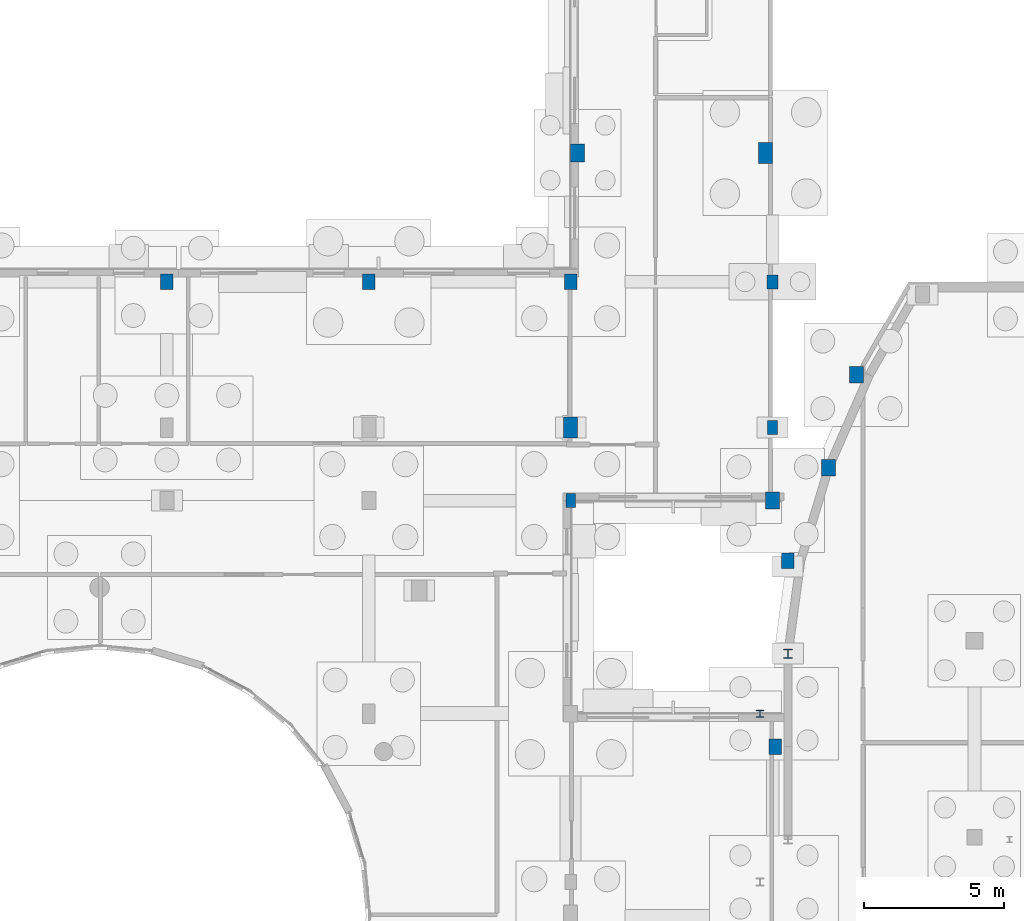
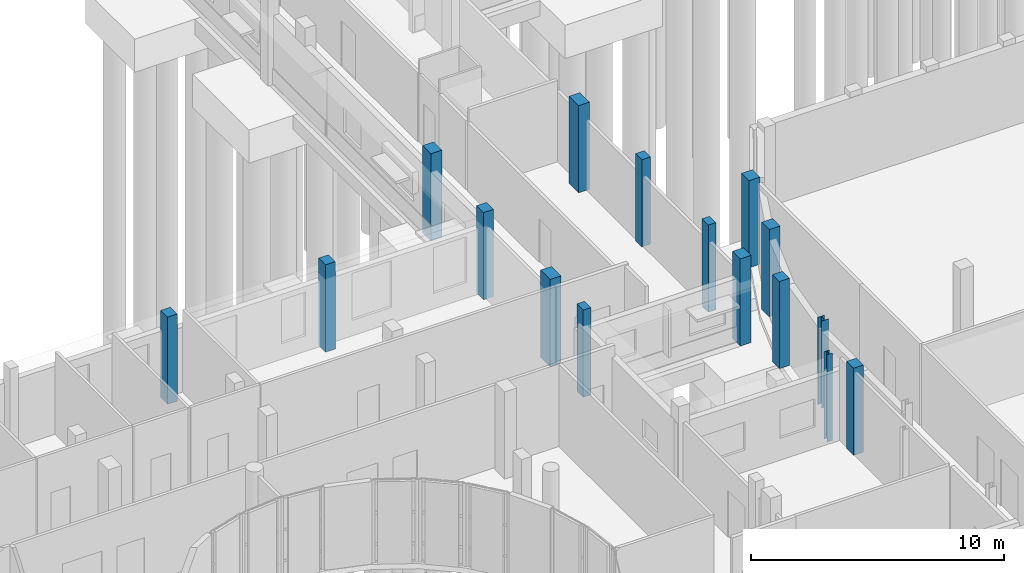
# One storey, part 21 of 93: 16 columns.
"""IFC4 building model written with IfcOpenShell, lengths in metres."""

from ifc_helpers import new_model, si_unit, direction, frame, origin, origin_2d, place, context, subcontext, project, spatial, rectangle, i_section, extrude, material, material_profile, profile_set, type_object, element, save


model = new_model("IFC4")

# Units and contexts
model_context = context("Model", 3, precision=1e-05, world=origin(), true_north=direction((0.0, 1.0)))
body_context = subcontext(model_context, "Body", "Model", "MODEL_VIEW")
ifc_project = project(units=[si_unit("LENGTHUNIT", "METRE"), si_unit("AREAUNIT", "SQUARE_METRE"), si_unit("VOLUMEUNIT", "CUBIC_METRE"), si_unit("PLANEANGLEUNIT", "RADIAN"), si_unit("MASSUNIT", "GRAM", prefix="KILO")], contexts=[model_context])

# Site, building, storey
site_placement = place(None, origin())
site = spatial("IfcSite", under=ifc_project, at=site_placement, CompositionType="ELEMENT")
building_placement = place(site_placement, origin())
building = spatial("IfcBuilding", under=site, at=building_placement, Name="Kelanivale Promenade Academy", CompositionType="ELEMENT")
storey_placement = place(building_placement, origin())
storey = spatial("IfcBuildingStorey", under=building, at=storey_placement, Name="L00", CompositionType="ELEMENT", Elevation=0.0)

# Columns
ifc_material_1 = material(Name="Concrete C40/50", Category="concrete")
ifc_material_profile_1 = material_profile(ifc_material_1, rectangle(XDim=0.5, YDim=0.64990234375, at=origin_2d()), Name="RC-COL 500x650")
ifc_profile_set_1 = profile_set([ifc_material_profile_1], Name="Concrete C40/50")
column_type_1 = type_object("IfcColumnType", Name="C-11 RC-COL 500x650", PredefinedType="COLUMN", material=ifc_profile_set_1)
column_1_placement = place(storey_placement, frame((115.85009765625, 84.0, 0.0), z_axis=(0.0, 0.0, 1.0), x_axis=(1.0, 0.0, 0.0)))
element("IfcColumn", 1, at=column_1_placement, inside=storey, type_object=column_type_1, Name="Column C-11 at (115.8, 84.0) L00", PredefinedType="COLUMN", context=body_context, shape_type="SweptSolid", body=[
    extrude(rectangle(XDim=0.5, YDim=0.64990234375, at=origin_2d()), origin(), (0.0, 0.0, 1.0), 4.199951171875),
])
ifc_material_profile_2 = material_profile(ifc_material_1, rectangle(XDim=0.5, YDim=0.75, at=origin_2d()), Name="RC-COL 500x750")
ifc_profile_set_2 = profile_set([ifc_material_profile_2], Name="Concrete C40/50")
column_type_2 = type_object("IfcColumnType", Name="C-12 RC-COL 500x750", PredefinedType="COLUMN", material=ifc_profile_set_2)
for number, where, z_axis, x_axis, name in (
    (2, (115.60009765625, 74.199951171875, 0.0), (0.0, 0.0, 1.0), (1.0, 0.0, 0.0), "Column C-12 at (115.6, 74.2) L00"),
    (3, (122.550048828125, 84.0, 0.0), (0.0, 0.0, 1.0), (1.0, 0.0, 0.0), "Column C-12 at (122.5, 84.0) L00"),
):
    element("IfcColumn", number, at=place(storey_placement, frame(where, z_axis=z_axis, x_axis=x_axis)), inside=storey, type_object=column_type_2, Name=name, PredefinedType="COLUMN", context=body_context, shape_type="SweptSolid", body=[
        extrude(rectangle(XDim=0.5, YDim=0.75, at=origin_2d()), origin(), (0.0, 0.0, 1.0), 4.199951171875),
    ])
ifc_material_profile_3 = material_profile(ifc_material_1, rectangle(XDim=0.35009765625, YDim=0.5, at=origin_2d()), Name="RC-PIL 350x500")
ifc_profile_set_3 = profile_set([ifc_material_profile_3], Name="Concrete C40/50")
column_type_3 = type_object("IfcColumnType", Name="PL-15 RC-PIL 350x500", PredefinedType="PILASTER", material=ifc_profile_set_3)
for number, where, z_axis, x_axis, name in (
    (4, (115.60009765625, 71.60009765625, 0.0), (0.0, 0.0, 1.0), (1.0, 0.0, 0.0), "Column PL-15 at (115.6, 71.6) L00"),
    (5, (122.800048828125, 74.199951171875, 0.0), (0.0, 0.0, 1.0), (1.0, 0.0, 0.0), "Column PL-15 at (122.8, 74.2) L00"),
):
    element("IfcColumn", number, at=place(storey_placement, frame(where, z_axis=z_axis, x_axis=x_axis)), inside=storey, type_object=column_type_3, Name=name, PredefinedType="PILASTER", context=body_context, shape_type="SweptSolid", body=[
        extrude(rectangle(XDim=0.35009765625, YDim=0.5, at=origin_2d()), origin(), (0.0, 0.0, 1.0), 4.199951171875),
    ])
ifc_material_profile_4 = material_profile(ifc_material_1, rectangle(XDim=0.39990234375, YDim=0.5, at=origin_2d()), Name="RC-PIL 400x500")
ifc_profile_set_4 = profile_set([ifc_material_profile_4], Name="Concrete C40/50")
column_type_4 = type_object("IfcColumnType", Name="PL-16 RC-PIL 400x500", PredefinedType="PILASTER", material=ifc_profile_set_4)
column_2_placement = place(storey_placement, frame((122.800048828125, 79.39990234375, 0.0), z_axis=(0.0, 0.0, 1.0), x_axis=(1.0, 0.0, 0.0)))
element("IfcColumn", 6, at=column_2_placement, inside=storey, type_object=column_type_4, Name="Column PL-16 at (122.8, 79.4) L00", PredefinedType="PILASTER", context=body_context, shape_type="SweptSolid", body=[
    extrude(rectangle(XDim=0.39990234375, YDim=0.5, at=origin_2d()), origin(), (0.0, 0.0, 1.0), 4.199951171875),
])
ifc_material_profile_5 = material_profile(ifc_material_1, rectangle(XDim=0.449951171875, YDim=0.550048828125, at=origin_2d()), Name="RC-PIL 450x550")
ifc_profile_set_5 = profile_set([ifc_material_profile_5], Name="Concrete C40/50")
column_type_5 = type_object("IfcColumnType", Name="PL-17 RC-PIL 450x550", PredefinedType="PILASTER", material=ifc_profile_set_5)
for number, where, z_axis, x_axis, name in (
    (7, (101.199951171875, 79.39990234375, 0.0), (0.0, 0.0, 1.0), (1.0, 0.0, 0.0), "Column PL-17 at (101.2, 79.4) L00"),
    (8, (108.39990234375, 79.39990234375, 0.0), (0.0, 0.0, 1.0), (1.0, 0.0, 0.0), "Column PL-17 at (108.4, 79.4) L00"),
    (9, (115.60009765625, 79.39990234375, 0.0), (0.0, 0.0, 1.0), (1.0, 0.0, 0.0), "Column PL-17 at (115.6, 79.4) L00"),
    (10, (122.889892578125, 62.8291015625, 0.0), (0.0, 0.0, 1.0), (1.0, 0.0, 0.0), "Column PL-17 at (122.9, 62.8) L00"),
    (11, (123.340087890625, 69.45703125, 0.0), (0.0, 0.0, 1.0), (1.0, 0.0, 0.0), "Column PL-17 at (123.3, 69.5) L00"),
):
    element("IfcColumn", number, at=place(storey_placement, frame(where, z_axis=z_axis, x_axis=x_axis)), inside=storey, type_object=column_type_5, Name=name, PredefinedType="PILASTER", context=body_context, shape_type="SweptSolid", body=[
        extrude(rectangle(XDim=0.449951171875, YDim=0.550048828125, at=origin_2d()), origin(), (0.0, 0.0, 1.0), 4.199951171875),
    ])
ifc_material_profile_6 = material_profile(ifc_material_1, rectangle(XDim=0.5, YDim=0.60009765625, at=origin_2d()), Name="RC-PIL 500x600")
ifc_profile_set_6 = profile_set([ifc_material_profile_6], Name="Concrete C40/50")
column_type_6 = type_object("IfcColumnType", Name="PL-18 RC-PIL 500x600", PredefinedType="PILASTER", material=ifc_profile_set_6)
for number, where, z_axis, x_axis, name in (
    (12, (122.800048828125, 71.60009765625, 0.0), (0.0, 0.0, 1.0), (1.0, 0.0, 0.0), "Column PL-18 at (122.8, 71.6) L00"),
    (13, (124.800048828125, 72.77099609375, 0.0), (0.0, 0.0, 1.0), (1.0, 0.0, 0.0), "Column PL-18 at (124.8, 72.8) L00"),
    (14, (125.7900390625, 76.0859375, 0.0), (0.0, 0.0, 1.0), (1.0, 0.0, 0.0), "Column PL-18 at (125.8, 76.1) L00"),
):
    element("IfcColumn", number, at=place(storey_placement, frame(where, z_axis=z_axis, x_axis=x_axis)), inside=storey, type_object=column_type_6, Name=name, PredefinedType="PILASTER", context=body_context, shape_type="SweptSolid", body=[
        extrude(rectangle(XDim=0.5, YDim=0.60009765625, at=origin_2d()), origin(), (0.0, 0.0, 1.0), 4.199951171875),
    ])
ifc_material_2 = material(Name="Steel S355", Category="steel")
ifc_material_profile_7 = material_profile(ifc_material_2, i_section(OverallWidth=0.254638671875, OverallDepth=0.254150390625, WebThickness=0.008544921875, FlangeThickness=0.01416015625, FilletRadius=0.0126953125, at=origin_2d()), Name="UC 254x254x73")
ifc_profile_set_7 = profile_set([ifc_material_profile_7], Name="Steel S355")
column_type_7 = type_object("IfcColumnType", Name="SC-02 UC 254x254x73", PredefinedType="COLUMN", material=ifc_profile_set_7)
column_3_placement = place(storey_placement, frame((122.35009765625, 64.0, 0.0), z_axis=(0.0, 0.0, 1.0), x_axis=(1.0, 0.0, 0.0)))
element("IfcColumn", 15, at=column_3_placement, inside=storey, type_object=column_type_7, Name="Column SC-02 at (122.3, 64.0) L00", PredefinedType="COLUMN", context=body_context, shape_type="SweptSolid", body=[
    extrude(i_section(OverallWidth=0.254638671875, OverallDepth=0.254150390625, WebThickness=0.008544921875, FlangeThickness=0.01416015625, FilletRadius=0.0126953125, at=origin_2d()), origin(), (0.0, 0.0, 1.0), 4.199951171875),
])
ifc_material_profile_8 = material_profile(ifc_material_2, i_section(OverallWidth=0.307373046875, OverallDepth=0.314453125, WebThickness=0.011962890625, FlangeThickness=0.018798828125, FilletRadius=0.01513671875, at=origin_2d()), Name="UC 305x305x118")
ifc_profile_set_8 = profile_set([ifc_material_profile_8], Name="Steel S355")
column_type_8 = type_object("IfcColumnType", Name="SC-04 UC 305x305x118", PredefinedType="COLUMN", material=ifc_profile_set_8)
column_4_placement = place(storey_placement, frame((123.35009765625, 66.14306640625, 0.0), z_axis=(0.0, 0.0, 1.0), x_axis=(1.0, 0.0, 0.0)))
element("IfcColumn", 16, at=column_4_placement, inside=storey, type_object=column_type_8, Name="Column SC-04 at (123.3, 66.1) L00", PredefinedType="COLUMN", context=body_context, shape_type="SweptSolid", body=[
    extrude(i_section(OverallWidth=0.307373046875, OverallDepth=0.314453125, WebThickness=0.011962890625, FlangeThickness=0.018798828125, FilletRadius=0.01513671875, at=origin_2d()), origin(), (0.0, 0.0, 1.0), 4.199951171875),
])

save(model, "model.ifc")
